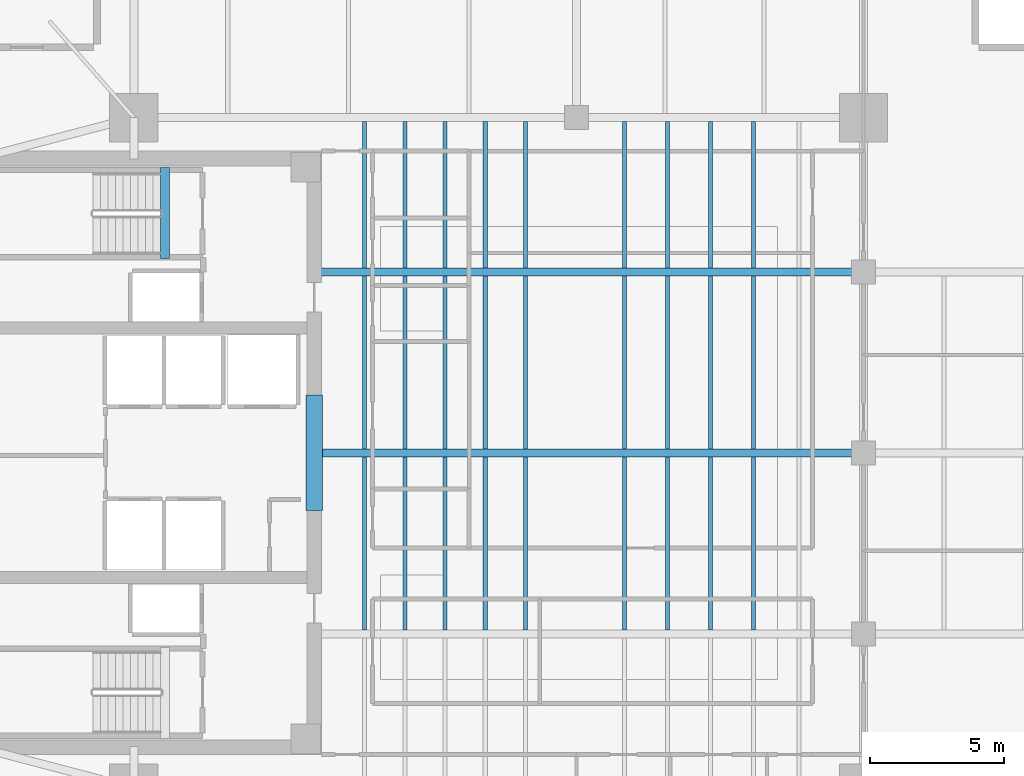
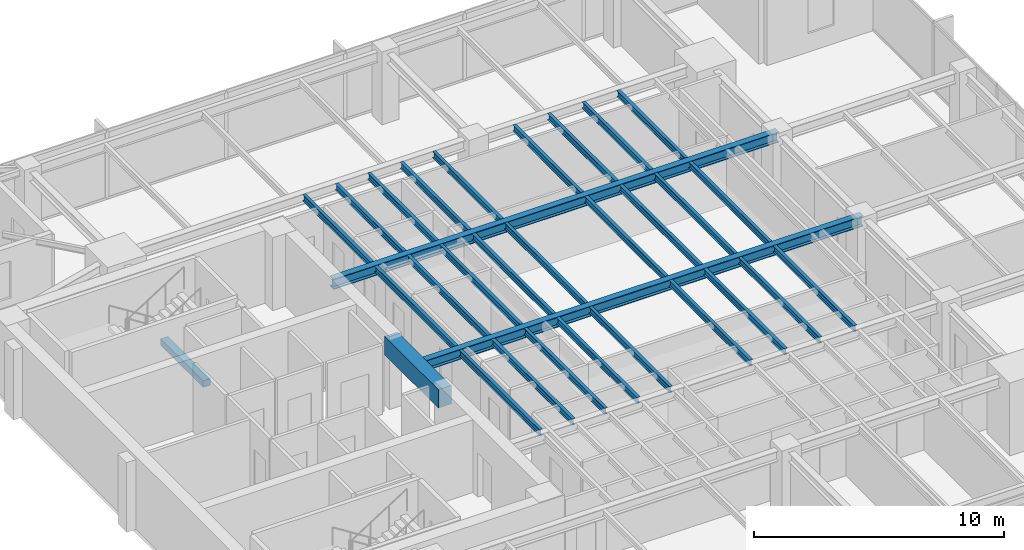
# One storey, part 3 of 14: 31 beams.
"""IFC4 building model written with IfcOpenShell, lengths in metres."""

from ifc_helpers import new_model, si_unit, direction, frame, origin, origin_2d, place, context, subcontext, project, spatial, rectangle, i_section, extrude, material, material_profile, profile_set, type_object, element, save


model = new_model("IFC4")

# Units and contexts
model_context = context("Model", 3, precision=1e-05, world=origin(), true_north=direction((0.0, 1.0)))
body_context = subcontext(model_context, "Body", "Model", "MODEL_VIEW")
ifc_project = project(units=[si_unit("LENGTHUNIT", "METRE"), si_unit("AREAUNIT", "SQUARE_METRE"), si_unit("VOLUMEUNIT", "CUBIC_METRE"), si_unit("PLANEANGLEUNIT", "RADIAN"), si_unit("MASSUNIT", "GRAM", prefix="KILO")], contexts=[model_context])

# Site, building, storey
site_placement = place(None, origin())
site = spatial("IfcSite", under=ifc_project, at=site_placement, CompositionType="ELEMENT")
building_placement = place(site_placement, origin())
building = spatial("IfcBuilding", under=site, at=building_placement, Name="Kinhvarn Gate Tower", CompositionType="ELEMENT")
storey_placement = place(building_placement, frame((0.0, 0.0, 230.64990234375)))
storey = spatial("IfcBuildingStorey", under=building, at=storey_placement, Name="L61", CompositionType="ELEMENT", Elevation=230.64990234375)

# Beams
ifc_material_1 = material(Name="Concrete C60/75", Category="concrete")
ifc_material_profile_1 = material_profile(ifc_material_1, rectangle(XDim=0.60009765625, YDim=0.89990234375, at=origin_2d()), Name="RC 600x900")
ifc_profile_set_1 = profile_set([ifc_material_profile_1], Name="Concrete C60/75")
beam_type_1 = type_object("IfcBeamType", Name="BM-CB-900", PredefinedType="LINTEL", material=ifc_profile_set_1)
beam_1_placement = place(storey_placement, frame((17.72509765625, 23.10009765625, 2.920166015625), z_axis=(0.0, 1.0, 0.0), x_axis=(-1.0, 0.0, 0.0)))
element("IfcBeam", 1, at=beam_1_placement, inside=storey, type_object=beam_type_1, Name="Core East Portal Coupling Beam L61", PredefinedType="LINTEL", context=body_context, shape_type="SweptSolid", body=[
    extrude(rectangle(XDim=0.60009765625, YDim=0.89990234375, at=origin_2d()), origin(), (0.0, 0.0, 1.0), 4.2998046875),
])
ifc_material_2 = material(Name="Concrete C50/60", Category="concrete")
ifc_material_profile_2 = material_profile(ifc_material_2, rectangle(XDim=0.340087890625, YDim=0.320068359375, at=origin_2d()), Name="RC 340x320")
ifc_profile_set_2 = profile_set([ifc_material_profile_2], Name="Concrete C50/60")
beam_type_2 = type_object("IfcBeamType", Name="BM-LND-500", PredefinedType="BEAM", material=ifc_profile_set_2)
beam_2_placement = place(storey_placement, frame((12.1650390625, 32.5, -0.159912109375), z_axis=(0.0, 1.0, 0.0), x_axis=(-1.0, 0.0, 0.0)))
element("IfcBeam", 2, at=beam_2_placement, inside=storey, type_object=beam_type_2, Name="Stair ST2 Landing Nosing Beam (L61)", PredefinedType="BEAM", context=body_context, shape_type="SweptSolid", body=[
    extrude(rectangle(XDim=0.340087890625, YDim=0.320068359375, at=origin_2d()), origin(), (0.0, 0.0, 1.0), 3.39990234375),
])
ifc_material_3 = material(Name="Steel S355", Category="steel")
ifc_material_profile_3 = material_profile(ifc_material_3, i_section(OverallWidth=0.300048828125, OverallDepth=0.5, WebThickness=0.014404296875, FlangeThickness=0.028076171875, at=origin_2d()), Name="HEB 500")
ifc_profile_set_3 = profile_set([ifc_material_profile_3], Name="Steel S355")
beam_type_3 = type_object("IfcBeamType", Name="STL-HEB500", PredefinedType="BEAM", material=ifc_profile_set_3)
beam_3_placement = place(storey_placement, frame((18.02490234375, 25.25, 3.1201171875), z_axis=(1.0, 0.0, 0.0), x_axis=(0.0, 1.0, 0.0)))
element("IfcBeam", 3, at=beam_3_placement, inside=storey, type_object=beam_type_3, Name="Floor Beam PG-14 (L61 EW1-Y25)", PredefinedType="BEAM", context=body_context, shape_type="SweptSolid", body=[
    extrude(i_section(OverallWidth=0.300048828125, OverallDepth=0.5, WebThickness=0.014404296875, FlangeThickness=0.028076171875, at=origin_2d()), origin(), (0.0, 0.0, 1.0), 20.175048828125),
])
beam_4_placement = place(storey_placement, frame((17.64990234375, 32.0, 3.1201171875), z_axis=(1.0, 0.0, 0.0), x_axis=(0.0, 1.0, 0.0)))
element("IfcBeam", 4, at=beam_4_placement, inside=storey, type_object=beam_type_3, Name="Floor Beam PG-14 (L61 EW1-Y32)", PredefinedType="BEAM", context=body_context, shape_type="SweptSolid", body=[
    extrude(i_section(OverallWidth=0.300048828125, OverallDepth=0.5, WebThickness=0.014404296875, FlangeThickness=0.028076171875, at=origin_2d()), origin(), (0.0, 0.0, 1.0), 20.550048828125),
])
ifc_material_profile_4 = material_profile(ifc_material_3, i_section(OverallWidth=0.14990234375, OverallDepth=0.300048828125, WebThickness=0.007080078125, FlangeThickness=0.0107421875, at=origin_2d()), Name="IPE 300")
ifc_profile_set_4 = profile_set([ifc_material_profile_4], Name="Steel S355")
beam_type_4 = type_object("IfcBeamType", Name="STL-IPE300", PredefinedType="JOIST", material=ifc_profile_set_4)
for number, where, z_axis, x_axis, name in (
    (5, (19.60009765625, 18.64990234375, 3.22021484375), (0.0, 1.0, 0.0), (-1.0, 0.0, 0.0), "Floor Joist SB-02 (L61 JC-X196-1)"),
    (6, (19.60009765625, 25.39990234375, 3.22021484375), (0.0, 1.0, 0.0), (-1.0, 0.0, 0.0), "Floor Joist SB-02 (L61 JC-X196-2)"),
):
    element("IfcBeam", number, at=place(storey_placement, frame(where, z_axis=z_axis, x_axis=x_axis)), inside=storey, type_object=beam_type_4, Name=name, PredefinedType="JOIST", context=body_context, shape_type="SweptSolid", body=[
        extrude(i_section(OverallWidth=0.14990234375, OverallDepth=0.300048828125, WebThickness=0.007080078125, FlangeThickness=0.0107421875, at=origin_2d()), origin(), (0.0, 0.0, 1.0), 6.4501953125),
    ])
beam_5_placement = place(storey_placement, frame((19.60009765625, 32.14990234375, 3.22021484375), z_axis=(0.0, 1.0, 0.0), x_axis=(-1.0, 0.0, 0.0)))
element("IfcBeam", 7, at=beam_5_placement, inside=storey, type_object=beam_type_4, Name="Floor Joist SB-02 (L61 JC-X196-3)", PredefinedType="JOIST", context=body_context, shape_type="SweptSolid", body=[
    extrude(i_section(OverallWidth=0.14990234375, OverallDepth=0.300048828125, WebThickness=0.007080078125, FlangeThickness=0.0107421875, at=origin_2d()), origin(), (0.0, 0.0, 1.0), 5.4501953125),
])
for number, where, z_axis, x_axis, name in (
    (8, (21.10009765625, 18.64990234375, 3.22021484375), (0.0, 1.0, 0.0), (-1.0, 0.0, 0.0), "Floor Joist SB-02 (L61 JC-X211-1)"),
    (9, (21.10009765625, 25.39990234375, 3.22021484375), (0.0, 1.0, 0.0), (-1.0, 0.0, 0.0), "Floor Joist SB-02 (L61 JC-X211-2)"),
):
    element("IfcBeam", number, at=place(storey_placement, frame(where, z_axis=z_axis, x_axis=x_axis)), inside=storey, type_object=beam_type_4, Name=name, PredefinedType="JOIST", context=body_context, shape_type="SweptSolid", body=[
        extrude(i_section(OverallWidth=0.14990234375, OverallDepth=0.300048828125, WebThickness=0.007080078125, FlangeThickness=0.0107421875, at=origin_2d()), origin(), (0.0, 0.0, 1.0), 6.4501953125),
    ])
beam_6_placement = place(storey_placement, frame((21.10009765625, 32.14990234375, 3.22021484375), z_axis=(0.0, 1.0, 0.0), x_axis=(-1.0, 0.0, 0.0)))
element("IfcBeam", 10, at=beam_6_placement, inside=storey, type_object=beam_type_4, Name="Floor Joist SB-02 (L61 JC-X211-3)", PredefinedType="JOIST", context=body_context, shape_type="SweptSolid", body=[
    extrude(i_section(OverallWidth=0.14990234375, OverallDepth=0.300048828125, WebThickness=0.007080078125, FlangeThickness=0.0107421875, at=origin_2d()), origin(), (0.0, 0.0, 1.0), 5.4501953125),
])
for number, where, z_axis, x_axis, name in (
    (11, (22.60009765625, 18.64990234375, 3.22021484375), (0.0, 1.0, 0.0), (-1.0, 0.0, 0.0), "Floor Joist SB-02 (L61 JC-X226-1)"),
    (12, (22.60009765625, 25.39990234375, 3.22021484375), (0.0, 1.0, 0.0), (-1.0, 0.0, 0.0), "Floor Joist SB-02 (L61 JC-X226-2)"),
):
    element("IfcBeam", number, at=place(storey_placement, frame(where, z_axis=z_axis, x_axis=x_axis)), inside=storey, type_object=beam_type_4, Name=name, PredefinedType="JOIST", context=body_context, shape_type="SweptSolid", body=[
        extrude(i_section(OverallWidth=0.14990234375, OverallDepth=0.300048828125, WebThickness=0.007080078125, FlangeThickness=0.0107421875, at=origin_2d()), origin(), (0.0, 0.0, 1.0), 6.4501953125),
    ])
beam_7_placement = place(storey_placement, frame((22.60009765625, 32.14990234375, 3.22021484375), z_axis=(0.0, 1.0, 0.0), x_axis=(-1.0, 0.0, 0.0)))
element("IfcBeam", 13, at=beam_7_placement, inside=storey, type_object=beam_type_4, Name="Floor Joist SB-02 (L61 JC-X226-3)", PredefinedType="JOIST", context=body_context, shape_type="SweptSolid", body=[
    extrude(i_section(OverallWidth=0.14990234375, OverallDepth=0.300048828125, WebThickness=0.007080078125, FlangeThickness=0.0107421875, at=origin_2d()), origin(), (0.0, 0.0, 1.0), 5.4501953125),
])
for number, where, z_axis, x_axis, name in (
    (14, (24.10009765625, 18.64990234375, 3.22021484375), (0.0, 1.0, 0.0), (-1.0, 0.0, 0.0), "Floor Joist SB-02 (L61 JC-X241-1)"),
    (15, (24.10009765625, 25.39990234375, 3.22021484375), (0.0, 1.0, 0.0), (-1.0, 0.0, 0.0), "Floor Joist SB-02 (L61 JC-X241-2)"),
):
    element("IfcBeam", number, at=place(storey_placement, frame(where, z_axis=z_axis, x_axis=x_axis)), inside=storey, type_object=beam_type_4, Name=name, PredefinedType="JOIST", context=body_context, shape_type="SweptSolid", body=[
        extrude(i_section(OverallWidth=0.14990234375, OverallDepth=0.300048828125, WebThickness=0.007080078125, FlangeThickness=0.0107421875, at=origin_2d()), origin(), (0.0, 0.0, 1.0), 6.4501953125),
    ])
beam_8_placement = place(storey_placement, frame((24.10009765625, 32.14990234375, 3.22021484375), z_axis=(0.0, 1.0, 0.0), x_axis=(-1.0, 0.0, 0.0)))
element("IfcBeam", 16, at=beam_8_placement, inside=storey, type_object=beam_type_4, Name="Floor Joist SB-02 (L61 JC-X241-3)", PredefinedType="JOIST", context=body_context, shape_type="SweptSolid", body=[
    extrude(i_section(OverallWidth=0.14990234375, OverallDepth=0.300048828125, WebThickness=0.007080078125, FlangeThickness=0.0107421875, at=origin_2d()), origin(), (0.0, 0.0, 1.0), 5.4501953125),
])
for number, where, z_axis, x_axis, name in (
    (17, (25.60009765625, 18.64990234375, 3.22021484375), (0.0, 1.0, 0.0), (-1.0, 0.0, 0.0), "Floor Joist SB-02 (L61 JC-X256-1)"),
    (18, (25.60009765625, 25.39990234375, 3.22021484375), (0.0, 1.0, 0.0), (-1.0, 0.0, 0.0), "Floor Joist SB-02 (L61 JC-X256-2)"),
):
    element("IfcBeam", number, at=place(storey_placement, frame(where, z_axis=z_axis, x_axis=x_axis)), inside=storey, type_object=beam_type_4, Name=name, PredefinedType="JOIST", context=body_context, shape_type="SweptSolid", body=[
        extrude(i_section(OverallWidth=0.14990234375, OverallDepth=0.300048828125, WebThickness=0.007080078125, FlangeThickness=0.0107421875, at=origin_2d()), origin(), (0.0, 0.0, 1.0), 6.4501953125),
    ])
beam_9_placement = place(storey_placement, frame((25.60009765625, 32.14990234375, 3.22021484375), z_axis=(0.0, 1.0, 0.0), x_axis=(-1.0, 0.0, 0.0)))
element("IfcBeam", 19, at=beam_9_placement, inside=storey, type_object=beam_type_4, Name="Floor Joist SB-02 (L61 JC-X256-3)", PredefinedType="JOIST", context=body_context, shape_type="SweptSolid", body=[
    extrude(i_section(OverallWidth=0.14990234375, OverallDepth=0.300048828125, WebThickness=0.007080078125, FlangeThickness=0.0107421875, at=origin_2d()), origin(), (0.0, 0.0, 1.0), 5.4501953125),
])
for number, where, z_axis, x_axis, name in (
    (20, (29.300048828125, 18.64990234375, 3.22021484375), (0.0, 1.0, 0.0), (-1.0, 0.0, 0.0), "Floor Joist SB-02 (L61 JC-X293-1)"),
    (21, (29.300048828125, 25.39990234375, 3.22021484375), (0.0, 1.0, 0.0), (-1.0, 0.0, 0.0), "Floor Joist SB-02 (L61 JC-X293-2)"),
):
    element("IfcBeam", number, at=place(storey_placement, frame(where, z_axis=z_axis, x_axis=x_axis)), inside=storey, type_object=beam_type_4, Name=name, PredefinedType="JOIST", context=body_context, shape_type="SweptSolid", body=[
        extrude(i_section(OverallWidth=0.14990234375, OverallDepth=0.300048828125, WebThickness=0.007080078125, FlangeThickness=0.0107421875, at=origin_2d()), origin(), (0.0, 0.0, 1.0), 6.4501953125),
    ])
beam_10_placement = place(storey_placement, frame((29.300048828125, 32.14990234375, 3.22021484375), z_axis=(0.0, 1.0, 0.0), x_axis=(-1.0, 0.0, 0.0)))
element("IfcBeam", 22, at=beam_10_placement, inside=storey, type_object=beam_type_4, Name="Floor Joist SB-02 (L61 JC-X293-3)", PredefinedType="JOIST", context=body_context, shape_type="SweptSolid", body=[
    extrude(i_section(OverallWidth=0.14990234375, OverallDepth=0.300048828125, WebThickness=0.007080078125, FlangeThickness=0.0107421875, at=origin_2d()), origin(), (0.0, 0.0, 1.0), 5.4501953125),
])
for number, where, z_axis, x_axis, name in (
    (23, (30.89990234375, 18.64990234375, 3.22021484375), (0.0, 1.0, 0.0), (-1.0, 0.0, 0.0), "Floor Joist SB-02 (L61 JC-X309-1)"),
    (24, (30.89990234375, 25.39990234375, 3.22021484375), (0.0, 1.0, 0.0), (-1.0, 0.0, 0.0), "Floor Joist SB-02 (L61 JC-X309-2)"),
):
    element("IfcBeam", number, at=place(storey_placement, frame(where, z_axis=z_axis, x_axis=x_axis)), inside=storey, type_object=beam_type_4, Name=name, PredefinedType="JOIST", context=body_context, shape_type="SweptSolid", body=[
        extrude(i_section(OverallWidth=0.14990234375, OverallDepth=0.300048828125, WebThickness=0.007080078125, FlangeThickness=0.0107421875, at=origin_2d()), origin(), (0.0, 0.0, 1.0), 6.4501953125),
    ])
beam_11_placement = place(storey_placement, frame((30.89990234375, 32.14990234375, 3.22021484375), z_axis=(0.0, 1.0, 0.0), x_axis=(-1.0, 0.0, 0.0)))
element("IfcBeam", 25, at=beam_11_placement, inside=storey, type_object=beam_type_4, Name="Floor Joist SB-02 (L61 JC-X309-3)", PredefinedType="JOIST", context=body_context, shape_type="SweptSolid", body=[
    extrude(i_section(OverallWidth=0.14990234375, OverallDepth=0.300048828125, WebThickness=0.007080078125, FlangeThickness=0.0107421875, at=origin_2d()), origin(), (0.0, 0.0, 1.0), 5.4501953125),
])
for number, where, z_axis, x_axis, name in (
    (26, (32.5, 18.64990234375, 3.22021484375), (0.0, 1.0, 0.0), (-1.0, 0.0, 0.0), "Floor Joist SB-02 (L61 JC-X325-1)"),
    (27, (32.5, 25.39990234375, 3.22021484375), (0.0, 1.0, 0.0), (-1.0, 0.0, 0.0), "Floor Joist SB-02 (L61 JC-X325-2)"),
):
    element("IfcBeam", number, at=place(storey_placement, frame(where, z_axis=z_axis, x_axis=x_axis)), inside=storey, type_object=beam_type_4, Name=name, PredefinedType="JOIST", context=body_context, shape_type="SweptSolid", body=[
        extrude(i_section(OverallWidth=0.14990234375, OverallDepth=0.300048828125, WebThickness=0.007080078125, FlangeThickness=0.0107421875, at=origin_2d()), origin(), (0.0, 0.0, 1.0), 6.4501953125),
    ])
beam_12_placement = place(storey_placement, frame((32.5, 32.14990234375, 3.22021484375), z_axis=(0.0, 1.0, 0.0), x_axis=(-1.0, 0.0, 0.0)))
element("IfcBeam", 28, at=beam_12_placement, inside=storey, type_object=beam_type_4, Name="Floor Joist SB-02 (L61 JC-X325-3)", PredefinedType="JOIST", context=body_context, shape_type="SweptSolid", body=[
    extrude(i_section(OverallWidth=0.14990234375, OverallDepth=0.300048828125, WebThickness=0.007080078125, FlangeThickness=0.0107421875, at=origin_2d()), origin(), (0.0, 0.0, 1.0), 5.4501953125),
])
for number, where, z_axis, x_axis, name in (
    (29, (34.10009765625, 18.64990234375, 3.22021484375), (0.0, 1.0, 0.0), (-1.0, 0.0, 0.0), "Floor Joist SB-02 (L61 JC-X341-1)"),
    (30, (34.10009765625, 25.39990234375, 3.22021484375), (0.0, 1.0, 0.0), (-1.0, 0.0, 0.0), "Floor Joist SB-02 (L61 JC-X341-2)"),
):
    element("IfcBeam", number, at=place(storey_placement, frame(where, z_axis=z_axis, x_axis=x_axis)), inside=storey, type_object=beam_type_4, Name=name, PredefinedType="JOIST", context=body_context, shape_type="SweptSolid", body=[
        extrude(i_section(OverallWidth=0.14990234375, OverallDepth=0.300048828125, WebThickness=0.007080078125, FlangeThickness=0.0107421875, at=origin_2d()), origin(), (0.0, 0.0, 1.0), 6.4501953125),
    ])
beam_13_placement = place(storey_placement, frame((34.10009765625, 32.14990234375, 3.22021484375), z_axis=(0.0, 1.0, 0.0), x_axis=(-1.0, 0.0, 0.0)))
element("IfcBeam", 31, at=beam_13_placement, inside=storey, type_object=beam_type_4, Name="Floor Joist SB-02 (L61 JC-X341-3)", PredefinedType="JOIST", context=body_context, shape_type="SweptSolid", body=[
    extrude(i_section(OverallWidth=0.14990234375, OverallDepth=0.300048828125, WebThickness=0.007080078125, FlangeThickness=0.0107421875, at=origin_2d()), origin(), (0.0, 0.0, 1.0), 5.4501953125),
])

save(model, "model.ifc")
